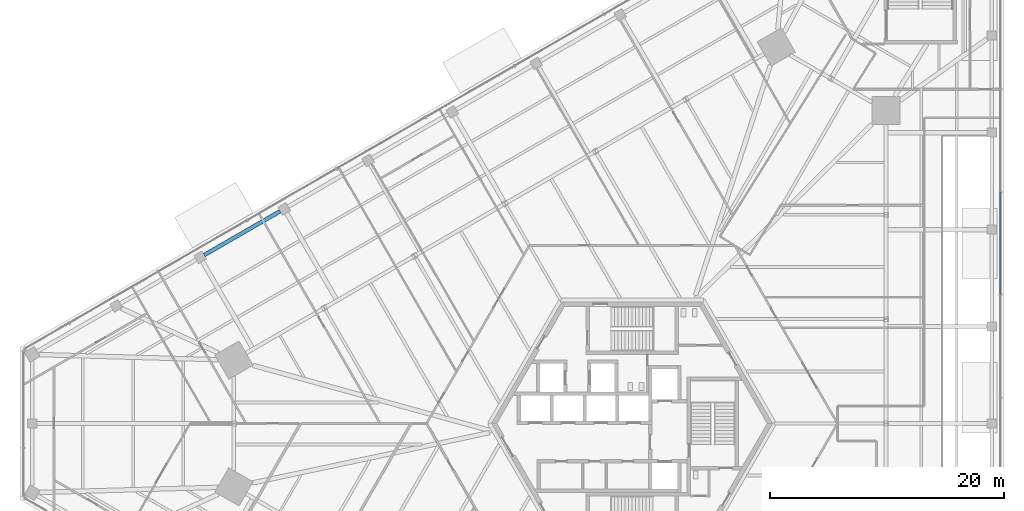
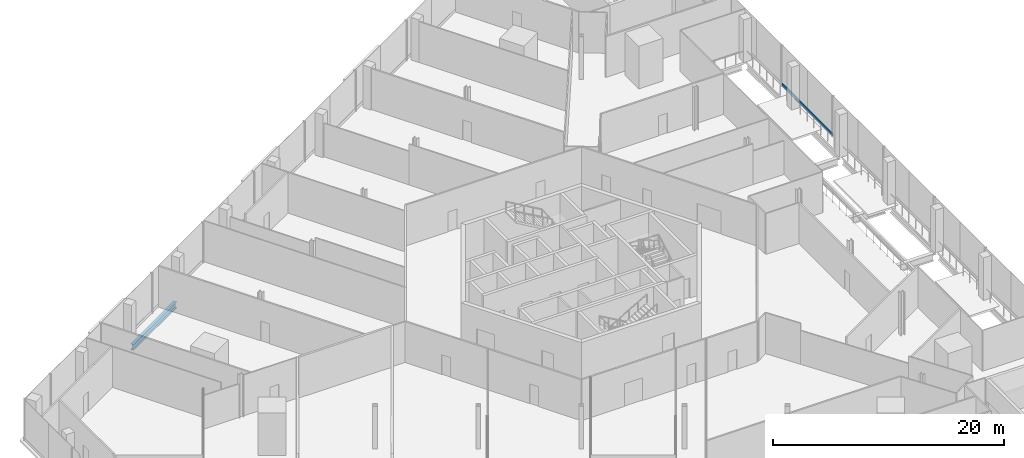
# One storey, part 12 of 27: 1 beam, 1 member, 1 element without a shape of its own.
"""IFC4 building model written with IfcOpenShell, lengths in metres."""

from ifc_helpers import new_model, si_unit, direction, frame, origin, origin_2d, place, context, subcontext, project, spatial, rectangle, i_section, extrude, source, transform, mapped, material, material_profile, profile_set, type_object, element, aggregate, save


model = new_model("IFC4")

# Units and contexts
model_context = context("Model", 3, precision=1e-05, world=origin(), true_north=direction((0.0, 1.0)))
body_context = subcontext(model_context, "Body", "Model", "MODEL_VIEW")
ifc_project = project(units=[si_unit("LENGTHUNIT", "METRE"), si_unit("AREAUNIT", "SQUARE_METRE"), si_unit("VOLUMEUNIT", "CUBIC_METRE"), si_unit("PLANEANGLEUNIT", "RADIAN"), si_unit("MASSUNIT", "GRAM", prefix="KILO")], contexts=[model_context])

# Site, building, storey
site_placement = place(None, origin())
site = spatial("IfcSite", under=ifc_project, at=site_placement, CompositionType="ELEMENT")
building_placement = place(site_placement, origin())
building = spatial("IfcBuilding", under=site, at=building_placement, Name="Triune Harvest Tower", CompositionType="ELEMENT")
storey_placement = place(building_placement, frame((0.0, 0.0, 7.0)))
storey = spatial("IfcBuildingStorey", under=building, at=storey_placement, Name="L01", CompositionType="ELEMENT", Elevation=7.0)

# Beam
ifc_material_1 = material(Name="Steel ASTM A992 Gr 50", Category="steel")
ifc_material_profile_1 = material_profile(ifc_material_1, i_section(OverallWidth=0.32763671875, OverallDepth=0.62744140625, WebThickness=0.0166015625, FlangeThickness=0.027587890625, at=origin_2d()), Name="W24x146")
ifc_profile_set_1 = profile_set([ifc_material_profile_1], Name="Steel ASTM A992 Gr 50")
beam_type = type_object("IfcBeamType", Name="PD-4 Podium edge beam W24x146", PredefinedType="BEAM", material=ifc_profile_set_1)
shared_shape_1 = source(origin(), body_context, "Body", "SweptSolid", [
    extrude(i_section(OverallWidth=0.32763671875, OverallDepth=0.62744140625, WebThickness=0.0166015625, FlangeThickness=0.027587890625, at=origin_2d()), origin(), (0.0, 0.0, 1.0), 7.47998046875),
])
beam_placement = place(storey_placement, frame((-30.04541015625, 18.1201171875, -0.513671875), z_axis=(-0.866008933936, -0.50002852553, 0.0), x_axis=(0.50002852553, -0.866008933936, 0.0)))
element("IfcBeam", 1, at=beam_placement, inside=storey, type_object=beam_type, Name="beam/L01/PE21", PredefinedType="BEAM", context=body_context, shape_type="MappedRepresentation", body=[
    mapped(shared_shape_1, transform((0.0, 0.0, 0.0), scale=1.0)),
])

# Curtain wall, member
ifc_material_2 = material(Name="Aluminium bronze anodised", Category="aluminium")
curtain_wall_type = type_object("IfcCurtainWallType", Name="CW-2 Podium shopfront wall", PredefinedType="NOTDEFINED", material=ifc_material_2)
curtain_wall_placement = place(storey_placement, origin())
curtain_wall = element("IfcCurtainWall", 2, at=curtain_wall_placement, inside=storey, type_object=curtain_wall_type, Name="CW-2 PD-F1 L01 run 1")
ifc_material_3 = material(Name="Aluminium bronze anodised", Category="aluminium")
ifc_material_profile_2 = material_profile(ifc_material_3, rectangle(XDim=0.10009765625, YDim=0.300048828125, at=origin_2d()), Name="TR-2 transom 100 x 300")
ifc_profile_set_2 = profile_set([ifc_material_profile_2], Name="Aluminium bronze anodised")
member_type = type_object("IfcMemberType", Name="TR-2 transom 100 x 300", PredefinedType="USERDEFINED", material=ifc_profile_set_2)
shared_shape_2 = source(origin(), body_context, "Body", "SweptSolid", [
    extrude(rectangle(XDim=0.10009765625, YDim=0.300048828125, at=origin_2d()), origin(), (0.0, 0.0, 1.0), 8.69677734375),
])
member_placement = place(storey_placement, frame((31.454345703125, 11.0283203125, 0.14990234375), z_axis=(0.0, 1.0, 0.0), x_axis=(-1.0, 0.0, 0.0)))
member = element("IfcMember", 3, at=member_placement, type_object=member_type, Name="CW-2 transom PD-F1 1.7", ObjectType="TRANSOM", PredefinedType="USERDEFINED", context=body_context, shape_type="MappedRepresentation", body=[
    mapped(shared_shape_2, transform((0.0, 0.0, 0.0), scale=1.0)),
])
aggregate(curtain_wall, [member])

save(model, "model.ifc")
